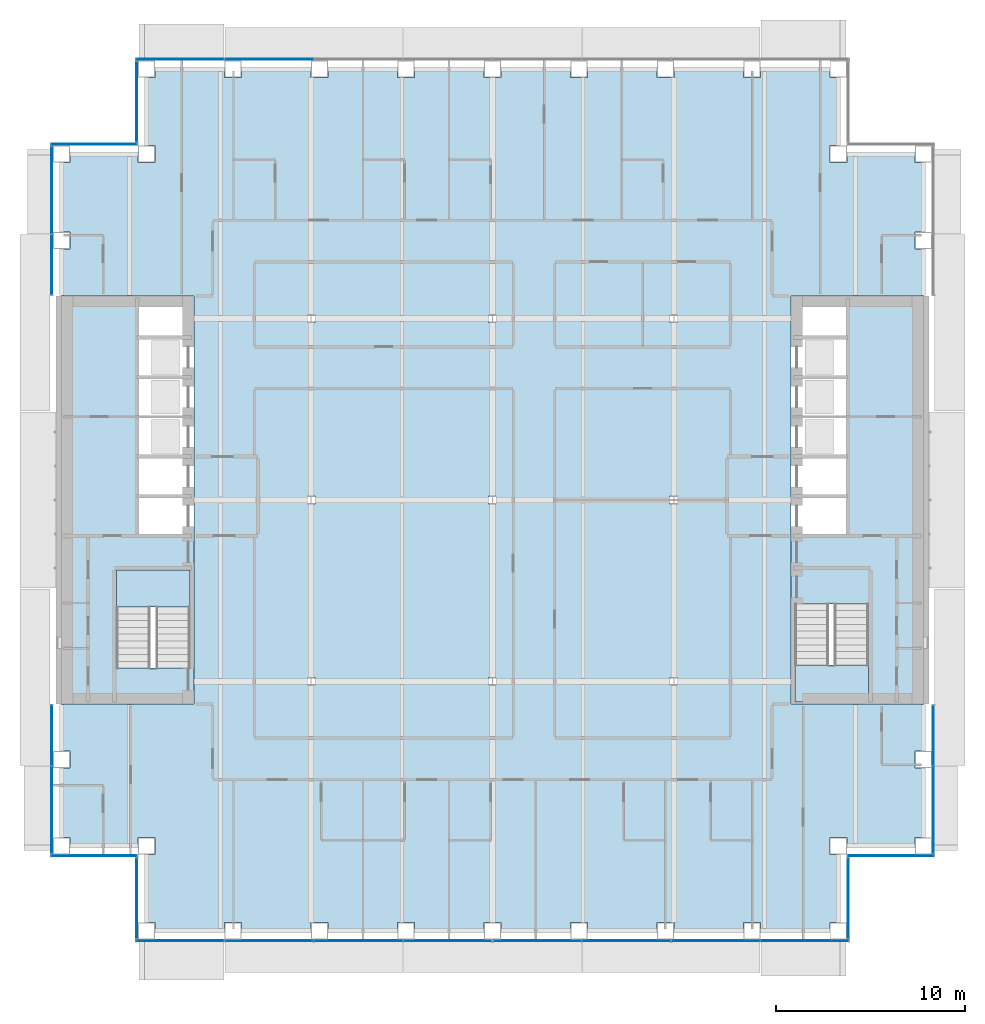
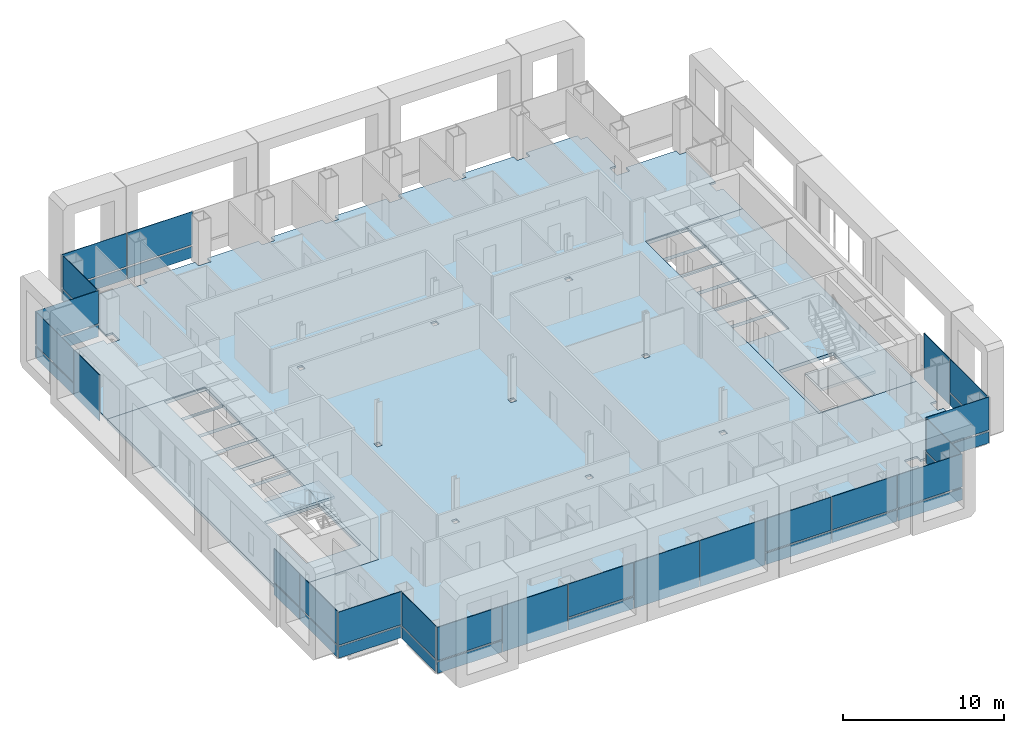
# One storey, part 9 of 20: 39 plates, 5 slabs, 13 elements without a shape of their own.
"""IFC4 building model written with IfcOpenShell, lengths in metres."""

from ifc_helpers import new_model, si_unit, direction, frame, origin, origin_2d, place, context, subcontext, project, spatial, polyline, rectangle, outline, extrude, material, layer, layer_set, type_object, element, aggregate, save


model = new_model("IFC4")

# Units and contexts
model_context = context("Model", 3, precision=1e-05, world=origin(), true_north=direction((0.0, 1.0)))
body_context = subcontext(model_context, "Body", "Model", "MODEL_VIEW")
ifc_project = project(units=[si_unit("LENGTHUNIT", "METRE"), si_unit("AREAUNIT", "SQUARE_METRE"), si_unit("VOLUMEUNIT", "CUBIC_METRE"), si_unit("PLANEANGLEUNIT", "RADIAN"), si_unit("MASSUNIT", "GRAM", prefix="KILO")], contexts=[model_context])

# Site, building, storey
site_placement = place(None, origin())
site = spatial("IfcSite", under=ifc_project, at=site_placement, CompositionType="ELEMENT")
building_placement = place(site_placement, origin())
building = spatial("IfcBuilding", under=site, at=building_placement, Name="Cobrizo Arcos Hotel Tower", CompositionType="ELEMENT")
storey_placement = place(building_placement, frame((0.0, 0.0, 96.0)))
storey = spatial("IfcBuildingStorey", under=building, at=storey_placement, Name="L23", CompositionType="ELEMENT", Elevation=96.0)

# Curtain wall, plates
ifc_material_1 = material(Name="Aluminium 6063-T6 anodised bronze", Category="aluminium")
curtain_wall_type = type_object("IfcCurtainWallType", Name="CW-A guest facade", PredefinedType="NOTDEFINED", material=ifc_material_1)
curtain_wall_1_placement = place(storey_placement, origin())
curtain_wall_1 = element("IfcCurtainWall", 1, at=curtain_wall_1_placement, inside=storey, type_object=curtain_wall_type, Name="CW-A L23 S face", PredefinedType="NOTDEFINED")
ifc_material_2 = material(Name="Glass clear laminated low-e", Category="glass")
ifc_layer_1 = layer(ifc_material_2, 0.0400390625)
ifc_layer_set_1 = layer_set([ifc_layer_1], Name="CW-A glass panel")
plate_type_1 = type_object("IfcPlateType", Name="CW-A glass panel", PredefinedType="CURTAIN_PANEL", material=ifc_layer_set_1)
plate_1_placement = place(storey_placement, frame((-16.5224609375, -23.324951171875, 0.990234375), z_axis=(0.0, 0.0, 1.0), x_axis=(1.0, 0.0, 0.0)))
plate_1 = element("IfcPlate", 2, at=plate_1_placement, type_object=plate_type_1, Name="CW-A glass panel 915", PredefinedType="CURTAIN_PANEL", context=body_context, shape_type="SweptSolid", body=[
    extrude(rectangle(XDim=4.635009765625, YDim=0.0400390625, at=origin_2d()), origin(), (0.0, 0.0, 1.0), 2.510009765625),
])
plate_2_placement = place(storey_placement, frame((-7.08740234375, -23.324951171875, 0.990234375), z_axis=(0.0, 0.0, 1.0), x_axis=(1.0, 0.0, 0.0)))
plate_2 = element("IfcPlate", 3, at=plate_2_placement, type_object=plate_type_1, Name="CW-A glass panel 917", PredefinedType="CURTAIN_PANEL", context=body_context, shape_type="SweptSolid", body=[
    extrude(rectangle(XDim=4.6650390625, YDim=0.0400390625, at=origin_2d()), origin(), (0.0, 0.0, 1.0), 2.510009765625),
])
plate_3_placement = place(storey_placement, frame((7.08740234375, -23.324951171875, 0.990234375), z_axis=(0.0, 0.0, 1.0), x_axis=(1.0, 0.0, 0.0)))
plate_3 = element("IfcPlate", 4, at=plate_3_placement, type_object=plate_type_1, Name="CW-A glass panel 920", PredefinedType="CURTAIN_PANEL", context=body_context, shape_type="SweptSolid", body=[
    extrude(rectangle(XDim=4.6650390625, YDim=0.0400390625, at=origin_2d()), origin(), (0.0, 0.0, 1.0), 2.510009765625),
])
plate_4_placement = place(storey_placement, frame((11.8125, -23.324951171875, 0.990234375), z_axis=(0.0, 0.0, 1.0), x_axis=(1.0, 0.0, 0.0)))
plate_4 = element("IfcPlate", 5, at=plate_4_placement, type_object=plate_type_1, Name="CW-A glass panel 921", PredefinedType="CURTAIN_PANEL", context=body_context, shape_type="SweptSolid", body=[
    extrude(rectangle(XDim=4.6650390625, YDim=0.0400390625, at=origin_2d()), origin(), (0.0, 0.0, 1.0), 2.510009765625),
])
plate_5_placement = place(storey_placement, frame((16.5224609375, -23.324951171875, 0.990234375), z_axis=(0.0, 0.0, 1.0), x_axis=(1.0, 0.0, 0.0)))
plate_5 = element("IfcPlate", 6, at=plate_5_placement, type_object=plate_type_1, Name="CW-A glass panel 922", PredefinedType="CURTAIN_PANEL", context=body_context, shape_type="SweptSolid", body=[
    extrude(rectangle(XDim=4.635009765625, YDim=0.0400390625, at=origin_2d()), origin(), (0.0, 0.0, 1.0), 2.510009765625),
])

# Curtain wall, plate
curtain_wall_2_placement = place(storey_placement, origin())
curtain_wall_2 = element("IfcCurtainWall", 7, at=curtain_wall_2_placement, inside=storey, type_object=curtain_wall_type, Name="CW-A L23 E face", PredefinedType="NOTDEFINED")
plate_6_placement = place(storey_placement, frame((18.824951171875, -21.074951171875, 0.990234375), z_axis=(0.0, 0.0, 1.0), x_axis=(0.0, 1.0, 0.0)))
plate_6 = element("IfcPlate", 8, at=plate_6_placement, type_object=plate_type_1, Name="CW-A glass panel 923", PredefinedType="CURTAIN_PANEL", context=body_context, shape_type="SweptSolid", body=[
    extrude(rectangle(XDim=4.22998046875, YDim=0.0400390625, at=origin_2d()), origin(), (0.0, 0.0, 1.0), 2.510009765625),
])

curtain_wall_3_placement = place(storey_placement, origin())
curtain_wall_3 = element("IfcCurtainWall", 9, at=curtain_wall_3_placement, inside=storey, type_object=curtain_wall_type, Name="CW-A L23 S face", PredefinedType="NOTDEFINED")
plate_7_placement = place(storey_placement, frame((21.074951171875, -18.824951171875, 0.990234375), z_axis=(0.0, 0.0, 1.0), x_axis=(1.0, 0.0, 0.0)))
plate_7 = element("IfcPlate", 10, at=plate_7_placement, type_object=plate_type_1, Name="CW-A glass panel 924", PredefinedType="CURTAIN_PANEL", context=body_context, shape_type="SweptSolid", body=[
    extrude(rectangle(XDim=4.530029296875, YDim=0.0400390625, at=origin_2d()), origin(), (0.0, 0.0, 1.0), 2.510009765625),
])

curtain_wall_4_placement = place(storey_placement, origin())
curtain_wall_4 = element("IfcCurtainWall", 11, at=curtain_wall_4_placement, inside=storey, type_object=curtain_wall_type, Name="CW-A L23 E face", PredefinedType="NOTDEFINED")
plate_8_placement = place(storey_placement, frame((23.324951171875, -16.391357421875, 0.990234375), z_axis=(0.0, 0.0, 1.0), x_axis=(0.0, 1.0, 0.0)))
plate_8 = element("IfcPlate", 12, at=plate_8_placement, type_object=plate_type_1, Name="CW-A glass panel 925", PredefinedType="CURTAIN_PANEL", context=body_context, shape_type="SweptSolid", body=[
    extrude(rectangle(XDim=4.597412109375, YDim=0.0400390625, at=origin_2d()), origin(), (0.0, 0.0, 1.0), 2.510009765625),
])

# Curtain wall, plates
curtain_wall_5_placement = place(storey_placement, origin())
curtain_wall_5 = element("IfcCurtainWall", 13, at=curtain_wall_5_placement, inside=storey, type_object=curtain_wall_type, Name="CW-A L23 N face", PredefinedType="NOTDEFINED")
plate_9_placement = place(storey_placement, frame((-11.8125, 23.324951171875, 0.990234375), z_axis=(0.0, 0.0, 1.0), x_axis=(-1.0, 0.0, 0.0)))
plate_9 = element("IfcPlate", 14, at=plate_9_placement, type_object=plate_type_1, Name="CW-A glass panel 937", PredefinedType="CURTAIN_PANEL", context=body_context, shape_type="SweptSolid", body=[
    extrude(rectangle(XDim=4.6650390625, YDim=0.0400390625, at=origin_2d()), origin(), (0.0, 0.0, 1.0), 2.510009765625),
])
plate_10_placement = place(storey_placement, frame((-16.5224609375, 23.324951171875, 0.990234375), z_axis=(0.0, 0.0, 1.0), x_axis=(-1.0, 0.0, 0.0)))
plate_10 = element("IfcPlate", 15, at=plate_10_placement, type_object=plate_type_1, Name="CW-A glass panel 938", PredefinedType="CURTAIN_PANEL", context=body_context, shape_type="SweptSolid", body=[
    extrude(rectangle(XDim=4.635009765625, YDim=0.0400390625, at=origin_2d()), origin(), (0.0, 0.0, 1.0), 2.510009765625),
])

# Curtain wall, plate
curtain_wall_6_placement = place(storey_placement, origin())
curtain_wall_6 = element("IfcCurtainWall", 16, at=curtain_wall_6_placement, inside=storey, type_object=curtain_wall_type, Name="CW-A L23 W face", PredefinedType="NOTDEFINED")
plate_11_placement = place(storey_placement, frame((-18.824951171875, 21.074951171875, 0.990234375), z_axis=(0.0, 0.0, 1.0), x_axis=(0.0, -1.0, 0.0)))
plate_11 = element("IfcPlate", 17, at=plate_11_placement, type_object=plate_type_1, Name="CW-A glass panel 939", PredefinedType="CURTAIN_PANEL", context=body_context, shape_type="SweptSolid", body=[
    extrude(rectangle(XDim=4.22998046875, YDim=0.0400390625, at=origin_2d()), origin(), (0.0, 0.0, 1.0), 2.510009765625),
])

curtain_wall_7_placement = place(storey_placement, origin())
curtain_wall_7 = element("IfcCurtainWall", 18, at=curtain_wall_7_placement, inside=storey, type_object=curtain_wall_type, Name="CW-A L23 N face", PredefinedType="NOTDEFINED")
plate_12_placement = place(storey_placement, frame((-21.074951171875, 18.824951171875, 0.990234375), z_axis=(0.0, 0.0, 1.0), x_axis=(-1.0, 0.0, 0.0)))
plate_12 = element("IfcPlate", 19, at=plate_12_placement, type_object=plate_type_1, Name="CW-A glass panel 940", PredefinedType="CURTAIN_PANEL", context=body_context, shape_type="SweptSolid", body=[
    extrude(rectangle(XDim=4.530029296875, YDim=0.0400390625, at=origin_2d()), origin(), (0.0, 0.0, 1.0), 2.510009765625),
])

curtain_wall_8_placement = place(storey_placement, origin())
curtain_wall_8 = element("IfcCurtainWall", 20, at=curtain_wall_8_placement, inside=storey, type_object=curtain_wall_type, Name="CW-A L23 W face", PredefinedType="NOTDEFINED")
plate_13_placement = place(storey_placement, frame((-23.324951171875, 16.391357421875, 0.990234375), z_axis=(0.0, 0.0, 1.0), x_axis=(0.0, -1.0, 0.0)))
plate_13 = element("IfcPlate", 21, at=plate_13_placement, type_object=plate_type_1, Name="CW-A glass panel 941", PredefinedType="CURTAIN_PANEL", context=body_context, shape_type="SweptSolid", body=[
    extrude(rectangle(XDim=4.597412109375, YDim=0.0400390625, at=origin_2d()), origin(), (0.0, 0.0, 1.0), 2.510009765625),
])

# Curtain wall, plates
curtain_wall_9_placement = place(storey_placement, origin())
curtain_wall_9 = element("IfcCurtainWall", 22, at=curtain_wall_9_placement, inside=storey, type_object=curtain_wall_type, Name="CW-A L23 W face", PredefinedType="NOTDEFINED")
plate_14_placement = place(storey_placement, frame((-23.324951171875, -12.4462890625, 0.990234375), z_axis=(0.0, 0.0, 1.0), x_axis=(0.0, -1.0, 0.0)))
plate_14 = element("IfcPlate", 23, at=plate_14_placement, type_object=plate_type_1, Name="CW-A glass panel 943", PredefinedType="CURTAIN_PANEL", context=body_context, shape_type="SweptSolid", body=[
    extrude(rectangle(XDim=3.172607421875, YDim=0.0400390625, at=origin_2d()), origin(), (0.0, 0.0, 1.0), 2.510009765625),
])
plate_15_placement = place(storey_placement, frame((-23.324951171875, -16.391357421875, 0.990234375), z_axis=(0.0, 0.0, 1.0), x_axis=(0.0, -1.0, 0.0)))
plate_15 = element("IfcPlate", 24, at=plate_15_placement, type_object=plate_type_1, Name="CW-A glass panel 944", PredefinedType="CURTAIN_PANEL", context=body_context, shape_type="SweptSolid", body=[
    extrude(rectangle(XDim=4.597412109375, YDim=0.0400390625, at=origin_2d()), origin(), (0.0, 0.0, 1.0), 2.510009765625),
])

# Curtain wall, plate
curtain_wall_10_placement = place(storey_placement, origin())
curtain_wall_10 = element("IfcCurtainWall", 25, at=curtain_wall_10_placement, inside=storey, type_object=curtain_wall_type, Name="CW-A L23 S face", PredefinedType="NOTDEFINED")
plate_16_placement = place(storey_placement, frame((-21.074951171875, -18.824951171875, 0.990234375), z_axis=(0.0, 0.0, 1.0), x_axis=(1.0, 0.0, 0.0)))
plate_16 = element("IfcPlate", 26, at=plate_16_placement, type_object=plate_type_1, Name="CW-A glass panel 945", PredefinedType="CURTAIN_PANEL", context=body_context, shape_type="SweptSolid", body=[
    extrude(rectangle(XDim=4.530029296875, YDim=0.0400390625, at=origin_2d()), origin(), (0.0, 0.0, 1.0), 2.510009765625),
])

curtain_wall_11_placement = place(storey_placement, origin())
curtain_wall_11 = element("IfcCurtainWall", 27, at=curtain_wall_11_placement, inside=storey, type_object=curtain_wall_type, Name="CW-A L23 W face", PredefinedType="NOTDEFINED")
plate_17_placement = place(storey_placement, frame((-18.824951171875, -21.074951171875, 0.990234375), z_axis=(0.0, 0.0, 1.0), x_axis=(0.0, -1.0, 0.0)))
plate_17 = element("IfcPlate", 28, at=plate_17_placement, type_object=plate_type_1, Name="CW-A glass panel 946", PredefinedType="CURTAIN_PANEL", context=body_context, shape_type="SweptSolid", body=[
    extrude(rectangle(XDim=4.22998046875, YDim=0.0400390625, at=origin_2d()), origin(), (0.0, 0.0, 1.0), 2.510009765625),
])

# Plate
ifc_material_3 = material(Name="Aluminium composite panel pale metal", Category="aluminium")
ifc_layer_2 = layer(ifc_material_3, 0.0400390625)
ifc_layer_set_2 = layer_set([ifc_layer_2], Name="CW-A spandrel panel")
plate_type_2 = type_object("IfcPlateType", Name="CW-A spandrel panel", PredefinedType="CURTAIN_PANEL", material=ifc_layer_set_2)
plate_18_placement = place(storey_placement, frame((-16.5224609375, -23.324951171875, 0.0), z_axis=(0.0, 0.0, 1.0), x_axis=(1.0, 0.0, 0.0)))
plate_18 = element("IfcPlate", 29, at=plate_18_placement, type_object=plate_type_2, Name="CW-A spandrel panel 915", PredefinedType="CURTAIN_PANEL", context=body_context, shape_type="SweptSolid", body=[
    extrude(rectangle(XDim=4.635009765625, YDim=0.0400390625, at=origin_2d()), origin(), (0.0, 0.0, 1.0), 0.8701171875),
])

plate_19_placement = place(storey_placement, frame((-11.8125, -23.324951171875, 0.0), z_axis=(0.0, 0.0, 1.0), x_axis=(1.0, 0.0, 0.0)))
plate_19 = element("IfcPlate", 30, at=plate_19_placement, type_object=plate_type_2, Name="CW-A spandrel panel 916", PredefinedType="CURTAIN_PANEL", context=body_context, shape_type="SweptSolid", body=[
    extrude(rectangle(XDim=4.6650390625, YDim=0.0400390625, at=origin_2d()), origin(), (0.0, 0.0, 1.0), 3.5),
])

plate_20_placement = place(storey_placement, frame((-7.08740234375, -23.324951171875, 0.0), z_axis=(0.0, 0.0, 1.0), x_axis=(1.0, 0.0, 0.0)))
plate_20 = element("IfcPlate", 31, at=plate_20_placement, type_object=plate_type_2, Name="CW-A spandrel panel 917", PredefinedType="CURTAIN_PANEL", context=body_context, shape_type="SweptSolid", body=[
    extrude(rectangle(XDim=4.6650390625, YDim=0.0400390625, at=origin_2d()), origin(), (0.0, 0.0, 1.0), 0.8701171875),
])

plate_21_placement = place(storey_placement, frame((-2.362548828125, -23.324951171875, 0.0), z_axis=(0.0, 0.0, 1.0), x_axis=(1.0, 0.0, 0.0)))
plate_21 = element("IfcPlate", 32, at=plate_21_placement, type_object=plate_type_2, Name="CW-A spandrel panel 918", PredefinedType="CURTAIN_PANEL", context=body_context, shape_type="SweptSolid", body=[
    extrude(rectangle(XDim=4.6650390625, YDim=0.0400390625, at=origin_2d()), origin(), (0.0, 0.0, 1.0), 3.5),
])

plate_22_placement = place(storey_placement, frame((2.362548828125, -23.324951171875, 0.0), z_axis=(0.0, 0.0, 1.0), x_axis=(1.0, 0.0, 0.0)))
plate_22 = element("IfcPlate", 33, at=plate_22_placement, type_object=plate_type_2, Name="CW-A spandrel panel 919", PredefinedType="CURTAIN_PANEL", context=body_context, shape_type="SweptSolid", body=[
    extrude(rectangle(XDim=4.6650390625, YDim=0.0400390625, at=origin_2d()), origin(), (0.0, 0.0, 1.0), 3.5),
])

plate_23_placement = place(storey_placement, frame((7.08740234375, -23.324951171875, 0.0), z_axis=(0.0, 0.0, 1.0), x_axis=(1.0, 0.0, 0.0)))
plate_23 = element("IfcPlate", 34, at=plate_23_placement, type_object=plate_type_2, Name="CW-A spandrel panel 920", PredefinedType="CURTAIN_PANEL", context=body_context, shape_type="SweptSolid", body=[
    extrude(rectangle(XDim=4.6650390625, YDim=0.0400390625, at=origin_2d()), origin(), (0.0, 0.0, 1.0), 0.8701171875),
])

plate_24_placement = place(storey_placement, frame((11.8125, -23.324951171875, 0.0), z_axis=(0.0, 0.0, 1.0), x_axis=(1.0, 0.0, 0.0)))
plate_24 = element("IfcPlate", 35, at=plate_24_placement, type_object=plate_type_2, Name="CW-A spandrel panel 921", PredefinedType="CURTAIN_PANEL", context=body_context, shape_type="SweptSolid", body=[
    extrude(rectangle(XDim=4.6650390625, YDim=0.0400390625, at=origin_2d()), origin(), (0.0, 0.0, 1.0), 0.8701171875),
])

plate_25_placement = place(storey_placement, frame((16.5224609375, -23.324951171875, 0.0), z_axis=(0.0, 0.0, 1.0), x_axis=(1.0, 0.0, 0.0)))
plate_25 = element("IfcPlate", 36, at=plate_25_placement, type_object=plate_type_2, Name="CW-A spandrel panel 922", PredefinedType="CURTAIN_PANEL", context=body_context, shape_type="SweptSolid", body=[
    extrude(rectangle(XDim=4.635009765625, YDim=0.0400390625, at=origin_2d()), origin(), (0.0, 0.0, 1.0), 0.8701171875),
])

aggregate(curtain_wall_1, [plate_18, plate_1, plate_19, plate_20, plate_2, plate_21, plate_22, plate_23, plate_3, plate_24, plate_4, plate_25, plate_5])

plate_26_placement = place(storey_placement, frame((18.824951171875, -21.074951171875, 0.0), z_axis=(0.0, 0.0, 1.0), x_axis=(0.0, 1.0, 0.0)))
plate_26 = element("IfcPlate", 37, at=plate_26_placement, type_object=plate_type_2, Name="CW-A spandrel panel 923", PredefinedType="CURTAIN_PANEL", context=body_context, shape_type="SweptSolid", body=[
    extrude(rectangle(XDim=4.22998046875, YDim=0.0400390625, at=origin_2d()), origin(), (0.0, 0.0, 1.0), 0.8701171875),
])

aggregate(curtain_wall_2, [plate_26, plate_6])

plate_27_placement = place(storey_placement, frame((21.074951171875, -18.824951171875, 0.0), z_axis=(0.0, 0.0, 1.0), x_axis=(1.0, 0.0, 0.0)))
plate_27 = element("IfcPlate", 38, at=plate_27_placement, type_object=plate_type_2, Name="CW-A spandrel panel 924", PredefinedType="CURTAIN_PANEL", context=body_context, shape_type="SweptSolid", body=[
    extrude(rectangle(XDim=4.530029296875, YDim=0.0400390625, at=origin_2d()), origin(), (0.0, 0.0, 1.0), 0.8701171875),
])

aggregate(curtain_wall_3, [plate_27, plate_7])

plate_28_placement = place(storey_placement, frame((23.324951171875, -16.391357421875, 0.0), z_axis=(0.0, 0.0, 1.0), x_axis=(0.0, 1.0, 0.0)))
plate_28 = element("IfcPlate", 39, at=plate_28_placement, type_object=plate_type_2, Name="CW-A spandrel panel 925", PredefinedType="CURTAIN_PANEL", context=body_context, shape_type="SweptSolid", body=[
    extrude(rectangle(XDim=4.597412109375, YDim=0.0400390625, at=origin_2d()), origin(), (0.0, 0.0, 1.0), 0.8701171875),
])

plate_29_placement = place(storey_placement, frame((23.324951171875, -12.4462890625, 0.0), z_axis=(0.0, 0.0, 1.0), x_axis=(0.0, 1.0, 0.0)))
plate_29 = element("IfcPlate", 40, at=plate_29_placement, type_object=plate_type_2, Name="CW-A spandrel panel 926", PredefinedType="CURTAIN_PANEL", context=body_context, shape_type="SweptSolid", body=[
    extrude(rectangle(XDim=3.172607421875, YDim=0.0400390625, at=origin_2d()), origin(), (0.0, 0.0, 1.0), 3.5),
])

aggregate(curtain_wall_4, [plate_28, plate_8, plate_29])

plate_30_placement = place(storey_placement, frame((-11.8125, 23.324951171875, 0.0), z_axis=(0.0, 0.0, 1.0), x_axis=(-1.0, 0.0, 0.0)))
plate_30 = element("IfcPlate", 41, at=plate_30_placement, type_object=plate_type_2, Name="CW-A spandrel panel 937", PredefinedType="CURTAIN_PANEL", context=body_context, shape_type="SweptSolid", body=[
    extrude(rectangle(XDim=4.6650390625, YDim=0.0400390625, at=origin_2d()), origin(), (0.0, 0.0, 1.0), 0.8701171875),
])

plate_31_placement = place(storey_placement, frame((-16.5224609375, 23.324951171875, 0.0), z_axis=(0.0, 0.0, 1.0), x_axis=(-1.0, 0.0, 0.0)))
plate_31 = element("IfcPlate", 42, at=plate_31_placement, type_object=plate_type_2, Name="CW-A spandrel panel 938", PredefinedType="CURTAIN_PANEL", context=body_context, shape_type="SweptSolid", body=[
    extrude(rectangle(XDim=4.635009765625, YDim=0.0400390625, at=origin_2d()), origin(), (0.0, 0.0, 1.0), 0.8701171875),
])

aggregate(curtain_wall_5, [plate_30, plate_9, plate_31, plate_10])

plate_32_placement = place(storey_placement, frame((-18.824951171875, 21.074951171875, 0.0), z_axis=(0.0, 0.0, 1.0), x_axis=(0.0, -1.0, 0.0)))
plate_32 = element("IfcPlate", 43, at=plate_32_placement, type_object=plate_type_2, Name="CW-A spandrel panel 939", PredefinedType="CURTAIN_PANEL", context=body_context, shape_type="SweptSolid", body=[
    extrude(rectangle(XDim=4.22998046875, YDim=0.0400390625, at=origin_2d()), origin(), (0.0, 0.0, 1.0), 0.8701171875),
])

aggregate(curtain_wall_6, [plate_32, plate_11])

plate_33_placement = place(storey_placement, frame((-21.074951171875, 18.824951171875, 0.0), z_axis=(0.0, 0.0, 1.0), x_axis=(-1.0, 0.0, 0.0)))
plate_33 = element("IfcPlate", 44, at=plate_33_placement, type_object=plate_type_2, Name="CW-A spandrel panel 940", PredefinedType="CURTAIN_PANEL", context=body_context, shape_type="SweptSolid", body=[
    extrude(rectangle(XDim=4.530029296875, YDim=0.0400390625, at=origin_2d()), origin(), (0.0, 0.0, 1.0), 0.8701171875),
])

aggregate(curtain_wall_7, [plate_33, plate_12])

plate_34_placement = place(storey_placement, frame((-23.324951171875, 16.391357421875, 0.0), z_axis=(0.0, 0.0, 1.0), x_axis=(0.0, -1.0, 0.0)))
plate_34 = element("IfcPlate", 45, at=plate_34_placement, type_object=plate_type_2, Name="CW-A spandrel panel 941", PredefinedType="CURTAIN_PANEL", context=body_context, shape_type="SweptSolid", body=[
    extrude(rectangle(XDim=4.597412109375, YDim=0.0400390625, at=origin_2d()), origin(), (0.0, 0.0, 1.0), 0.8701171875),
])

plate_35_placement = place(storey_placement, frame((-23.324951171875, 12.4462890625, 0.0), z_axis=(0.0, 0.0, 1.0), x_axis=(0.0, -1.0, 0.0)))
plate_35 = element("IfcPlate", 46, at=plate_35_placement, type_object=plate_type_2, Name="CW-A spandrel panel 942", PredefinedType="CURTAIN_PANEL", context=body_context, shape_type="SweptSolid", body=[
    extrude(rectangle(XDim=3.172607421875, YDim=0.0400390625, at=origin_2d()), origin(), (0.0, 0.0, 1.0), 3.5),
])

aggregate(curtain_wall_8, [plate_34, plate_13, plate_35])

plate_36_placement = place(storey_placement, frame((-23.324951171875, -12.4462890625, 0.0), z_axis=(0.0, 0.0, 1.0), x_axis=(0.0, -1.0, 0.0)))
plate_36 = element("IfcPlate", 47, at=plate_36_placement, type_object=plate_type_2, Name="CW-A spandrel panel 943", PredefinedType="CURTAIN_PANEL", context=body_context, shape_type="SweptSolid", body=[
    extrude(rectangle(XDim=3.172607421875, YDim=0.0400390625, at=origin_2d()), origin(), (0.0, 0.0, 1.0), 0.8701171875),
])

plate_37_placement = place(storey_placement, frame((-23.324951171875, -16.391357421875, 0.0), z_axis=(0.0, 0.0, 1.0), x_axis=(0.0, -1.0, 0.0)))
plate_37 = element("IfcPlate", 48, at=plate_37_placement, type_object=plate_type_2, Name="CW-A spandrel panel 944", PredefinedType="CURTAIN_PANEL", context=body_context, shape_type="SweptSolid", body=[
    extrude(rectangle(XDim=4.597412109375, YDim=0.0400390625, at=origin_2d()), origin(), (0.0, 0.0, 1.0), 0.8701171875),
])

aggregate(curtain_wall_9, [plate_36, plate_14, plate_37, plate_15])

plate_38_placement = place(storey_placement, frame((-21.074951171875, -18.824951171875, 0.0), z_axis=(0.0, 0.0, 1.0), x_axis=(1.0, 0.0, 0.0)))
plate_38 = element("IfcPlate", 49, at=plate_38_placement, type_object=plate_type_2, Name="CW-A spandrel panel 945", PredefinedType="CURTAIN_PANEL", context=body_context, shape_type="SweptSolid", body=[
    extrude(rectangle(XDim=4.530029296875, YDim=0.0400390625, at=origin_2d()), origin(), (0.0, 0.0, 1.0), 0.8701171875),
])

aggregate(curtain_wall_10, [plate_38, plate_16])

plate_39_placement = place(storey_placement, frame((-18.824951171875, -21.074951171875, 0.0), z_axis=(0.0, 0.0, 1.0), x_axis=(0.0, -1.0, 0.0)))
plate_39 = element("IfcPlate", 50, at=plate_39_placement, type_object=plate_type_2, Name="CW-A spandrel panel 946", PredefinedType="CURTAIN_PANEL", context=body_context, shape_type="SweptSolid", body=[
    extrude(rectangle(XDim=4.22998046875, YDim=0.0400390625, at=origin_2d()), origin(), (0.0, 0.0, 1.0), 0.8701171875),
])

aggregate(curtain_wall_11, [plate_39, plate_17])

# Slabs
ifc_material_4 = material(Name="Concrete f'c 35 MPa", Category="concrete")
ifc_layer_3 = layer(ifc_material_4, 0.14990234375)
ifc_layer_set_3 = layer_set([ifc_layer_3], Name="Composite floor slab 150 f'c 35")
slab_type_1 = type_object("IfcSlabType", Name="Composite floor slab 150 f'c 35", PredefinedType="FLOOR", material=ifc_layer_set_3)
slab_1_placement = place(storey_placement, frame((0.0, 0.0, -0.14990234375)))
element("IfcSlab", 51, at=slab_1_placement, inside=storey, type_object=slab_type_1, Name="Floor slab S5, L23, no. 01", PredefinedType="FLOOR", context=body_context, shape_type="SweptSolid", body=[
    extrude(outline(polyline([(-17.85009765625, -22.800048828125), (-17.85009765625, -22.35009765625), (-18.300048828125, -22.35009765625), (-18.300048828125, -18.75), (-17.85009765625, -18.75), (-17.85009765625, -17.85009765625), (-18.75, -17.85009765625), (-18.75, -18.300048828125), (-22.35009765625, -18.300048828125), (-22.35009765625, -17.85009765625), (-22.800048828125, -17.85009765625), (-22.800048828125, -14.175048828125), (-22.35009765625, -14.175048828125), (-22.35009765625, -13.27490234375), (-22.800048828125, -13.27490234375), (-22.800048828125, -10.800048828125), (-15.800048828125, -10.800048828125), (-15.800048828125, 10.800048828125), (-22.800048828125, 10.800048828125), (-22.800048828125, 13.27490234375), (-22.35009765625, 13.27490234375), (-22.35009765625, 14.175048828125), (-22.800048828125, 14.175048828125), (-22.800048828125, 17.85009765625), (-22.35009765625, 17.85009765625), (-22.35009765625, 18.300048828125), (-18.75, 18.300048828125), (-18.75, 17.85009765625), (-17.85009765625, 17.85009765625), (-17.85009765625, 18.75), (-18.300048828125, 18.75), (-18.300048828125, 22.35009765625), (-17.85009765625, 22.35009765625), (-17.85009765625, 22.800048828125), (-14.175048828125, 22.800048828125), (-14.175048828125, 22.35009765625), (-13.27490234375, 22.35009765625), (-13.27490234375, 22.800048828125), (-9.60009765625, 22.800048828125), (-9.60009765625, 22.35009765625), (-8.699951171875, 22.35009765625), (-8.699951171875, 22.800048828125), (-5.02490234375, 22.800048828125), (-5.02490234375, 22.35009765625), (-4.125, 22.35009765625), (-4.125, 22.800048828125), (-0.449951171875, 22.800048828125), (-0.449951171875, 22.35009765625), (0.449951171875, 22.35009765625), (0.449951171875, 22.800048828125), (4.125, 22.800048828125), (4.125, 22.35009765625), (5.02490234375, 22.35009765625), (5.02490234375, 22.800048828125), (8.699951171875, 22.800048828125), (8.699951171875, 22.35009765625), (9.60009765625, 22.35009765625), (9.60009765625, 22.800048828125), (13.27490234375, 22.800048828125), (13.27490234375, 22.35009765625), (14.175048828125, 22.35009765625), (14.175048828125, 22.800048828125), (17.85009765625, 22.800048828125), (17.85009765625, 22.35009765625), (18.300048828125, 22.35009765625), (18.300048828125, 18.75), (17.85009765625, 18.75), (17.85009765625, 17.85009765625), (18.75, 17.85009765625), (18.75, 18.300048828125), (22.35009765625, 18.300048828125), (22.35009765625, 17.85009765625), (22.800048828125, 17.85009765625), (22.800048828125, 14.175048828125), (22.35009765625, 14.175048828125), (22.35009765625, 13.27490234375), (22.800048828125, 13.27490234375), (22.800048828125, 10.800048828125), (15.800048828125, 10.800048828125), (15.800048828125, -10.800048828125), (22.800048828125, -10.800048828125), (22.800048828125, -13.27490234375), (22.35009765625, -13.27490234375), (22.35009765625, -14.175048828125), (22.800048828125, -14.175048828125), (22.800048828125, -17.85009765625), (22.35009765625, -17.85009765625), (22.35009765625, -18.300048828125), (18.75, -18.300048828125), (18.75, -17.85009765625), (17.85009765625, -17.85009765625), (17.85009765625, -18.75), (18.300048828125, -18.75), (18.300048828125, -22.35009765625), (17.85009765625, -22.35009765625), (17.85009765625, -22.800048828125), (14.175048828125, -22.800048828125), (14.175048828125, -22.35009765625), (13.27490234375, -22.35009765625), (13.27490234375, -22.800048828125), (9.60009765625, -22.800048828125), (9.60009765625, -22.35009765625), (8.699951171875, -22.35009765625), (8.699951171875, -22.800048828125), (5.02490234375, -22.800048828125), (5.02490234375, -22.35009765625), (4.125, -22.35009765625), (4.125, -22.800048828125), (0.449951171875, -22.800048828125), (0.449951171875, -22.35009765625), (-0.449951171875, -22.35009765625), (-0.449951171875, -22.800048828125), (-4.125, -22.800048828125), (-4.125, -22.35009765625), (-5.02490234375, -22.35009765625), (-5.02490234375, -22.800048828125), (-8.699951171875, -22.800048828125), (-8.699951171875, -22.35009765625), (-9.60009765625, -22.35009765625), (-9.60009765625, -22.800048828125), (-13.27490234375, -22.800048828125), (-13.27490234375, -22.35009765625), (-14.175048828125, -22.35009765625), (-14.175048828125, -22.800048828125), (-17.85009765625, -22.800048828125)]), holes=[polyline([(-9.400634765625, -9.79931640625), (-9.400634765625, -9.400634765625), (-9.79931640625, -9.400634765625), (-9.79931640625, -9.79931640625), (-9.400634765625, -9.79931640625)]), polyline([(-9.400634765625, -0.199462890625), (-9.400634765625, 0.199462890625), (-9.79931640625, 0.199462890625), (-9.79931640625, -0.199462890625), (-9.400634765625, -0.199462890625)]), polyline([(-9.79931640625, 9.400634765625), (-9.400634765625, 9.400634765625), (-9.400634765625, 9.79931640625), (-9.79931640625, 9.79931640625), (-9.79931640625, 9.400634765625)]), polyline([(-0.199462890625, -9.79931640625), (0.199462890625, -9.79931640625), (0.199462890625, -9.400634765625), (-0.199462890625, -9.400634765625), (-0.199462890625, -9.79931640625)]), polyline([(0.199462890625, -0.199462890625), (0.199462890625, 0.199462890625), (-0.199462890625, 0.199462890625), (-0.199462890625, -0.199462890625), (0.199462890625, -0.199462890625)]), polyline([(0.199462890625, 9.400634765625), (0.199462890625, 9.79931640625), (-0.199462890625, 9.79931640625), (-0.199462890625, 9.400634765625), (0.199462890625, 9.400634765625)]), polyline([(9.79931640625, 9.400634765625), (9.79931640625, 9.79931640625), (9.400634765625, 9.79931640625), (9.400634765625, 9.400634765625), (9.79931640625, 9.400634765625)]), polyline([(9.400634765625, -9.79931640625), (9.79931640625, -9.79931640625), (9.79931640625, -9.400634765625), (9.400634765625, -9.400634765625), (9.400634765625, -9.79931640625)]), polyline([(9.400634765625, -0.199462890625), (9.79931640625, -0.199462890625), (9.79931640625, 0.199462890625), (9.400634765625, 0.199462890625), (9.400634765625, -0.199462890625)])]), origin(), (0.0, 0.0, 1.0), 0.14990234375),
])
ifc_material_5 = material(Name="Concrete f'c 50 MPa", Category="concrete")
ifc_layer_4 = layer(ifc_material_5, 0.25)
ifc_layer_set_4 = layer_set([ifc_layer_4], Name="RC core floor slab 250 f'c 50")
slab_type_2 = type_object("IfcSlabType", Name="RC core floor slab 250 f'c 50", PredefinedType="FLOOR", material=ifc_layer_set_4)
slab_2_placement = place(storey_placement, frame((0.0, 0.0, -0.25)))
element("IfcSlab", 52, at=slab_2_placement, inside=storey, type_object=slab_type_2, Name="Core floor slab CS5, east core, L23", PredefinedType="FLOOR", context=body_context, shape_type="SweptSolid", body=[
    extrude(outline(polyline([(15.800048828125, 10.800048828125), (22.800048828125, 10.800048828125), (22.800048828125, -10.800048828125), (15.800048828125, -10.800048828125), (15.800048828125, 10.800048828125)]), holes=[polyline([(19.89794921875, -10.697998046875), (19.89794921875, -5.501953125), (16.001953125, -5.501953125), (16.001953125, -10.697998046875), (19.89794921875, -10.697998046875)]), polyline([(15.802001953125, 0.197998046875), (15.802001953125, -1.89794921875), (18.798095703125, -1.89794921875), (18.798095703125, 0.197998046875), (15.802001953125, 0.197998046875)]), polyline([(18.798095703125, 2.298095703125), (15.802001953125, 2.298095703125), (15.802001953125, 0.201904296875), (18.798095703125, 0.201904296875), (18.798095703125, 2.298095703125)]), polyline([(18.798095703125, 4.39794921875), (15.802001953125, 4.39794921875), (15.802001953125, 2.302001953125), (18.798095703125, 2.302001953125), (18.798095703125, 4.39794921875)]), polyline([(15.802001953125, 6.498046875), (15.802001953125, 4.402099609375), (18.798095703125, 4.402099609375), (18.798095703125, 6.498046875), (15.802001953125, 6.498046875)]), polyline([(18.798095703125, 8.597900390625), (15.802001953125, 8.597900390625), (15.802001953125, 6.501953125), (18.798095703125, 6.501953125), (18.798095703125, 8.597900390625)]), polyline([(18.798095703125, 10.697998046875), (15.802001953125, 10.697998046875), (15.802001953125, 8.60205078125), (18.798095703125, 8.60205078125), (18.798095703125, 10.697998046875)])]), origin(), (0.0, 0.0, 1.0), 0.25),
])
slab_3_placement = place(storey_placement, frame((0.0, 0.0, -0.25)))
element("IfcSlab", 53, at=slab_3_placement, inside=storey, type_object=slab_type_2, Name="Core floor slab CS5, west core, L23", PredefinedType="FLOOR", context=body_context, shape_type="SweptSolid", body=[
    extrude(outline(polyline([(-22.800048828125, 10.800048828125), (-15.800048828125, 10.800048828125), (-15.800048828125, -10.800048828125), (-22.800048828125, -10.800048828125), (-22.800048828125, 10.800048828125)]), holes=[polyline([(-19.89794921875, -3.701904296875), (-19.89794921875, -8.89794921875), (-16.001953125, -8.89794921875), (-16.001953125, -3.701904296875), (-19.89794921875, -3.701904296875)]), polyline([(-18.798095703125, 0.197998046875), (-18.798095703125, -1.89794921875), (-15.802001953125, -1.89794921875), (-15.802001953125, 0.197998046875), (-18.798095703125, 0.197998046875)]), polyline([(-15.802001953125, 2.298095703125), (-18.798095703125, 2.298095703125), (-18.798095703125, 0.201904296875), (-15.802001953125, 0.201904296875), (-15.802001953125, 2.298095703125)]), polyline([(-15.802001953125, 4.39794921875), (-18.798095703125, 4.39794921875), (-18.798095703125, 2.302001953125), (-15.802001953125, 2.302001953125), (-15.802001953125, 4.39794921875)]), polyline([(-18.798095703125, 6.498046875), (-18.798095703125, 4.402099609375), (-15.802001953125, 4.402099609375), (-15.802001953125, 6.498046875), (-18.798095703125, 6.498046875)]), polyline([(-15.802001953125, 8.597900390625), (-18.798095703125, 8.597900390625), (-18.798095703125, 6.501953125), (-15.802001953125, 6.501953125), (-15.802001953125, 8.597900390625)]), polyline([(-15.802001953125, 10.697998046875), (-18.798095703125, 10.697998046875), (-18.798095703125, 8.60205078125), (-15.802001953125, 8.60205078125), (-15.802001953125, 10.697998046875)])]), origin(), (0.0, 0.0, 1.0), 0.25),
])

# Stair, slab
ifc_material_6 = material(Name="Concrete f'c 40 MPa", Category="concrete")
stair_type = type_object("IfcStairType", Name="Exit stair", PredefinedType="HALF_TURN_STAIR", material=ifc_material_6)
stair_1_placement = place(storey_placement, origin())
stair_1 = element("IfcStair", 54, at=stair_1_placement, inside=storey, type_object=stair_type, Name="L23 Exit stair ST-W", PredefinedType="HALF_TURN_STAIR")
ifc_layer_5 = layer(ifc_material_6, 0.199951171875)
ifc_layer_set_5 = layer_set([ifc_layer_5], Name="Stair landing")
slab_type_3 = type_object("IfcSlabType", Name="Stair landing", PredefinedType="LANDING", material=ifc_layer_set_5)
slab_4_placement = place(storey_placement, frame((0.0, 0.0, 1.550048828125)))
slab_4 = element("IfcSlab", 55, at=slab_4_placement, type_object=slab_type_3, Name="ST-W landing 1", PredefinedType="LANDING", context=body_context, shape_type="SweptSolid", body=[
    extrude(outline(polyline([(-16.0, -5.659912109375), (-16.0, -3.699951171875), (-19.89990234375, -3.699951171875), (-19.89990234375, -5.659912109375), (-16.0, -5.659912109375)])), origin(), (0.0, 0.0, 1.0), 0.199951171875),
])
aggregate(stair_1, [slab_4])

stair_2_placement = place(storey_placement, origin())
stair_2 = element("IfcStair", 56, at=stair_2_placement, inside=storey, type_object=stair_type, Name="L23 Exit stair ST-E", PredefinedType="HALF_TURN_STAIR")
slab_5_placement = place(storey_placement, frame((0.0, 0.0, 1.550048828125)))
slab_5 = element("IfcSlab", 57, at=slab_5_placement, type_object=slab_type_3, Name="ST-E landing 1", PredefinedType="LANDING", context=body_context, shape_type="SweptSolid", body=[
    extrude(outline(polyline([(16.0, -8.739990234375), (16.0, -10.699951171875), (19.89990234375, -10.699951171875), (19.89990234375, -8.739990234375), (16.0, -8.739990234375)])), origin(), (0.0, 0.0, 1.0), 0.199951171875),
])
aggregate(stair_2, [slab_5])

save(model, "model.ifc")
